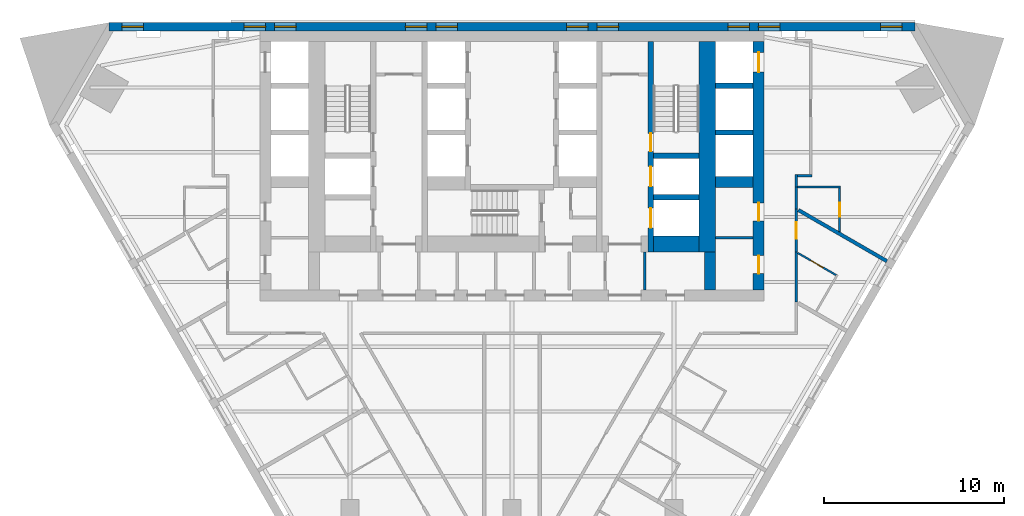
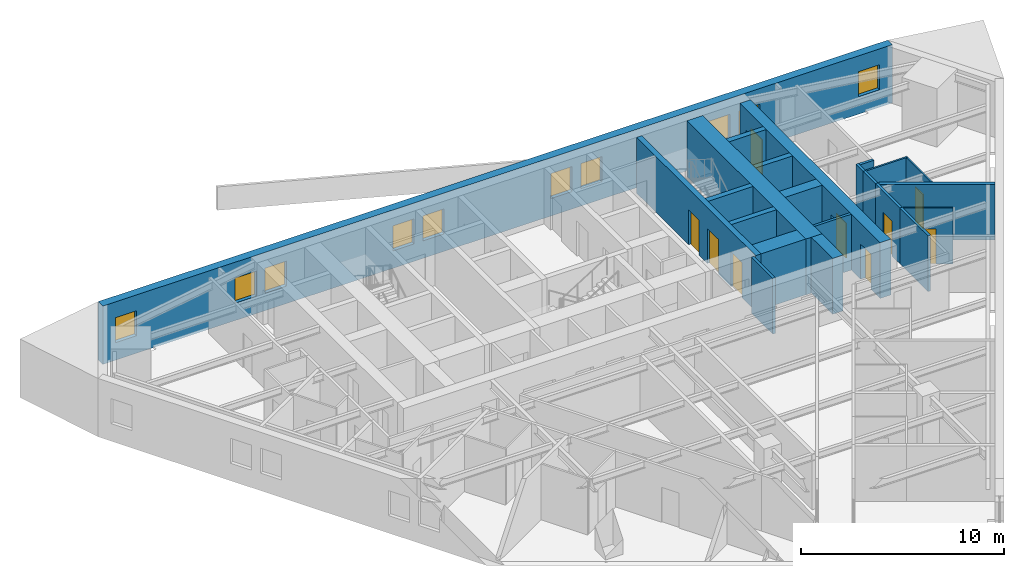
# One storey, part 7 of 11: 22 walls, 10 windows, 9 doors, 19 openings.
"""IFC4 building model written with IfcOpenShell, lengths in metres."""

from ifc_helpers import new_model, si_unit, direction, frame, frame_2d, origin, place, context, subcontext, project, spatial, polyline, rectangle, outline, extrude, material, layer, layer_set, type_object, element, fill, save


model = new_model("IFC4")

# Units and contexts
model_context = context("Model", 3, precision=1e-05, world=origin(), true_north=direction((0.0, 1.0)))
body_context = subcontext(model_context, "Body", "Model", "MODEL_VIEW")
ifc_project = project(units=[si_unit("LENGTHUNIT", "METRE"), si_unit("AREAUNIT", "SQUARE_METRE"), si_unit("VOLUMEUNIT", "CUBIC_METRE"), si_unit("PLANEANGLEUNIT", "RADIAN"), si_unit("MASSUNIT", "GRAM", prefix="KILO")], contexts=[model_context])

# Site, building, storey
site_placement = place(None, origin())
site = spatial("IfcSite", under=ifc_project, at=site_placement, CompositionType="ELEMENT")
building_placement = place(site_placement, origin())
building = spatial("IfcBuilding", under=site, at=building_placement, Name="Aloe Facet Convention Tower", CompositionType="ELEMENT")
storey_placement = place(building_placement, frame((0.0, 0.0, 38.5)))
storey = spatial("IfcBuildingStorey", under=building, at=storey_placement, Name="L07", CompositionType="ELEMENT", Elevation=38.5)

# Walls
ifc_material_1 = material(Name="Concrete blockwork partition", Category="masonry")
ifc_layer_1 = layer(ifc_material_1, 0.14990234375)
ifc_layer_set_1 = layer_set([ifc_layer_1], Name="CR-W-PART150")
wall_type_1 = type_object("IfcWallType", Name="CR-W-PART150", PredefinedType="PARTITIONING", material=ifc_layer_set_1)
wall_1_placement = place(storey_placement, frame((87.375, 122.25, 0.0), z_axis=(0.0, 0.0, 1.0), x_axis=(0.0, -1.0, 0.0)))
element("IfcWall", 1, at=wall_1_placement, inside=storey, type_object=wall_type_1, Name="Core partition L07-041", PredefinedType="PARTITIONING", context=body_context, shape_type="SweptSolid", body=[
    extrude(rectangle(XDim=2.10009765625, YDim=0.14990234375, at=frame_2d((1.050048828125, 0.0))), origin(), (0.0, 0.0, 1.0), 3.35009765625),
])
wall_2_placement = place(storey_placement, frame((91.300048828125, 123.048583984375, 0.0), z_axis=(0.0, 0.0, 1.0), x_axis=(1.0, 0.0, 0.0)))
element("IfcWall", 2, at=wall_2_placement, inside=storey, type_object=wall_type_1, Name="Core partition L07-051", PredefinedType="PARTITIONING", context=body_context, shape_type="SweptSolid", body=[
    extrude(rectangle(XDim=2.099853515625, YDim=0.14990234375, at=frame_2d((1.0498046875, 0.0))), origin(), (0.0, 0.0, 1.0), 3.35009765625),
])

# Wall, openings, doors
ifc_material_2 = material(Name="Concrete C80/95", Category="concrete")
ifc_layer_2 = layer(ifc_material_2, 0.300048828125)
ifc_layer_set_2 = layer_set([ifc_layer_2], Name="CR-W-RC300-C8095")
wall_type_2 = type_object("IfcWallType", Name="CR-W-RC300-C8095", PredefinedType="SOLIDWALL", material=ifc_layer_set_2)
wall_3_placement = place(storey_placement, frame((87.699951171875, 133.949951171875, 0.0), z_axis=(0.0, 0.0, 1.0), x_axis=(0.0, -1.0, 0.0)))
wall_3 = element("IfcWall", 3, at=wall_3_placement, inside=storey, type_object=wall_type_2, Name="Core wall L07-042", PredefinedType="SOLIDWALL", context=body_context, shape_type="SweptSolid", body=[
    extrude(rectangle(XDim=11.699951171875, YDim=0.300048828125, at=frame_2d((5.85009765625, 0.0))), origin(), (0.0, 0.0, 1.0), 3.35009765625),
])
opening_1_placement = place(wall_3_placement, frame((6.949951171875, 0.0, 0.0)))
opening_1 = element("IfcOpeningElement", 4, at=opening_1_placement, cuts=wall_3, Name="Opening LD-FF2-L07", PredefinedType="OPENING", context=body_context, shape_type="SweptSolid", body=[
    extrude(rectangle(XDim=1.10009765625, YDim=2.10009765625, at=frame_2d((0.550048828125, 1.050048828125))), frame((0.0, 0.16015625, 0.0), z_axis=(0.0, -1.0, 0.0), x_axis=(1.0, 0.0, 0.0)), (0.0, 0.0, 1.0), 0.320068359375),
])
opening_2_placement = place(wall_3_placement, frame((5.10009765625, 0.0, 0.0)))
opening_2 = element("IfcOpeningElement", 5, at=opening_2_placement, cuts=wall_3, Name="Opening L07-CD30", PredefinedType="OPENING", context=body_context, shape_type="SweptSolid", body=[
    extrude(rectangle(XDim=1.0, YDim=2.10009765625, at=frame_2d((0.5, 1.050048828125))), frame((0.0, 0.16015625, 0.0), z_axis=(0.0, -1.0, 0.0), x_axis=(1.0, 0.0, 0.0)), (0.0, 0.0, 1.0), 0.320068359375),
])
opening_3_placement = place(wall_3_placement, frame((9.25, 0.0, 0.0)))
opening_3 = element("IfcOpeningElement", 6, at=opening_3_placement, cuts=wall_3, Name="Opening LD-SV1-L07", PredefinedType="OPENING", context=body_context, shape_type="SweptSolid", body=[
    extrude(rectangle(XDim=1.10009765625, YDim=2.10009765625, at=frame_2d((0.550048828125, 1.050048828125))), frame((0.0, 0.16015625, 0.0), z_axis=(0.0, -1.0, 0.0), x_axis=(1.0, 0.0, 0.0)), (0.0, 0.0, 1.0), 0.320068359375),
])
ifc_material_3 = material(Name="Steel fire-resisting door set FD120", Category="steel")
door_type_1 = type_object("IfcDoorType", Name="CR-D-STAIR-1000-FD120-SLEFT", OperationType="SINGLE_SWING_LEFT", PredefinedType="DOOR", material=ifc_material_3)
door_1_placement = place(opening_2_placement, origin())
door_1 = element("IfcDoor", 7, at=door_1_placement, inside=storey, type_object=door_type_1, Name="Core door L07-CD30", OperationType="SINGLE_SWING_LEFT", OverallHeight=2.10009765625, OverallWidth=1.0, PredefinedType="DOOR", context=body_context, shape_type="SweptSolid", body=[
    extrude(rectangle(XDim=1.0, YDim=2.10009765625, at=frame_2d((0.5, 1.050048828125))), frame((0.0, 0.02490234375, 0.0), z_axis=(0.0, -1.0, 0.0), x_axis=(1.0, 0.0, 0.0)), (0.0, 0.0, 1.0), 0.050048828125),
])
fill(opening_2, door_1)
ifc_material_4 = material(Name="Stainless steel sliding landing door", Category="steel")
door_type_2 = type_object("IfcDoorType", Name="CR-LD-1100-FD120-_LEFT", OperationType="SLIDING_TO_LEFT", PredefinedType="DOOR", material=ifc_material_4)
door_2_placement = place(opening_1_placement, origin())
door_2 = element("IfcDoor", 8, at=door_2_placement, inside=storey, type_object=door_type_2, Name="Landing door FF2 L07", OperationType="SLIDING_TO_LEFT", OverallHeight=2.10009765625, OverallWidth=1.10009765625, PredefinedType="DOOR", context=body_context, shape_type="SweptSolid", body=[
    extrude(rectangle(XDim=1.10009765625, YDim=2.10009765625, at=frame_2d((0.550048828125, 1.050048828125))), frame((0.0, 0.02490234375, 0.0), z_axis=(0.0, -1.0, 0.0), x_axis=(1.0, 0.0, 0.0)), (0.0, 0.0, 1.0), 0.050048828125),
])
fill(opening_1, door_2)
door_3_placement = place(opening_3_placement, origin())
door_3 = element("IfcDoor", 9, at=door_3_placement, inside=storey, type_object=door_type_2, Name="Landing door SV1 L07", OperationType="SLIDING_TO_LEFT", OverallHeight=2.10009765625, OverallWidth=1.10009765625, PredefinedType="DOOR", context=body_context, shape_type="SweptSolid", body=[
    extrude(rectangle(XDim=1.10009765625, YDim=2.10009765625, at=frame_2d((0.550048828125, 1.050048828125))), frame((0.0, 0.02490234375, 0.0), z_axis=(0.0, -1.0, 0.0), x_axis=(1.0, 0.0, 0.0)), (0.0, 0.0, 1.0), 0.050048828125),
])
fill(opening_3, door_3)

# Walls
for number, where, z_axis, x_axis, name in (
    (10, (87.85009765625, 127.60009765625, 0.0), (0.0, 0.0, 1.0), (1.0, 0.0, 0.0), "Core wall L07-043"),
    (11, (87.85009765625, 125.300048828125, 0.0), (0.0, 0.0, 1.0), (1.0, 0.0, 0.0), "Core wall L07-044"),
):
    element("IfcWall", number, at=place(storey_placement, frame(where, z_axis=z_axis, x_axis=x_axis)), inside=storey, type_object=wall_type_2, Name=name, PredefinedType="SOLIDWALL", context=body_context, shape_type="SweptSolid", body=[
        extrude(rectangle(XDim=2.5498046875, YDim=0.300048828125, at=frame_2d((1.27490234375, 0.0))), origin(), (0.0, 0.0, 1.0), 3.35009765625),
    ])
for number, where, z_axis, x_axis, name in (
    (12, (91.300048828125, 131.5, 0.0), (0.0, 0.0, 1.0), (1.0, 0.0, 0.0), "Core wall L07-048"),
    (13, (91.300048828125, 128.89990234375, 0.0), (0.0, 0.0, 1.0), (1.0, 0.0, 0.0), "Core wall L07-049"),
):
    element("IfcWall", number, at=place(storey_placement, frame(where, z_axis=z_axis, x_axis=x_axis)), inside=storey, type_object=wall_type_2, Name=name, PredefinedType="SOLIDWALL", context=body_context, shape_type="SweptSolid", body=[
        extrude(rectangle(XDim=2.099853515625, YDim=0.300048828125, at=frame_2d((1.0498046875, 0.0))), origin(), (0.0, 0.0, 1.0), 3.35009765625),
    ])
ifc_material_5 = material(Name="Concrete C80/95", Category="concrete")
ifc_layer_3 = layer(ifc_material_5, 0.60009765625)
ifc_layer_set_3 = layer_set([ifc_layer_3], Name="CR-W-RC600-C8095")
wall_type_3 = type_object("IfcWallType", Name="CR-W-RC600-C8095", PredefinedType="SOLIDWALL", material=ifc_layer_set_3)
wall_4_placement = place(storey_placement, frame((91.0, 122.25, 0.0), z_axis=(0.0, 0.0, 1.0), x_axis=(0.0, -1.0, 0.0)))
element("IfcWall", 14, at=wall_4_placement, inside=storey, type_object=wall_type_3, Name="Core wall L07-047", PredefinedType="SOLIDWALL", context=body_context, shape_type="SweptSolid", body=[
    extrude(rectangle(XDim=2.10009765625, YDim=0.60009765625, at=frame_2d((1.050048828125, 0.0))), origin(), (0.0, 0.0, 1.0), 3.35009765625),
])
wall_5_placement = place(storey_placement, frame((91.300048828125, 126.14990234375, 0.0), z_axis=(0.0, 0.0, 1.0), x_axis=(1.0, 0.0, 0.0)))
element("IfcWall", 15, at=wall_5_placement, inside=storey, type_object=wall_type_3, Name="Core wall L07-050", PredefinedType="SOLIDWALL", context=body_context, shape_type="SweptSolid", body=[
    extrude(rectangle(XDim=2.099853515625, YDim=0.60009765625, at=frame_2d((1.0498046875, 0.0))), origin(), (0.0, 0.0, 1.0), 3.35009765625),
])

# Wall, openings, doors
wall_6_placement = place(storey_placement, frame((93.699951171875, 133.949951171875, 0.0), z_axis=(0.0, 0.0, 1.0), x_axis=(0.0, -1.0, 0.0)))
wall_6 = element("IfcWall", 16, at=wall_6_placement, inside=storey, type_object=wall_type_3, Name="Core wall L07-052", PredefinedType="SOLIDWALL", context=body_context, shape_type="SweptSolid", body=[
    extrude(rectangle(XDim=13.800048828125, YDim=0.60009765625, at=frame_2d((6.89990234375, 0.0))), origin(), (0.0, 0.0, 1.0), 3.35009765625),
])
opening_4_placement = place(wall_6_placement, frame((0.60009765625, 0.0, 0.0)))
opening_4 = element("IfcOpeningElement", 17, at=opening_4_placement, cuts=wall_6, Name="Opening LD-A8-L07", PredefinedType="OPENING", context=body_context, shape_type="SweptSolid", body=[
    extrude(rectangle(XDim=1.10009765625, YDim=2.10009765625, at=frame_2d((0.550048828125, 1.050048828125))), frame((0.0, 0.31005859375, 0.0), z_axis=(0.0, -1.0, 0.0), x_axis=(1.0, 0.0, 0.0)), (0.0, 0.0, 1.0), 0.6201171875),
])
opening_5_placement = place(wall_6_placement, frame((8.963134765625, 0.0, 0.0)))
opening_5 = element("IfcOpeningElement", 18, at=opening_5_placement, cuts=wall_6, Name="Opening L07-CD09", PredefinedType="OPENING", context=body_context, shape_type="SweptSolid", body=[
    extrude(rectangle(XDim=1.0, YDim=2.10009765625, at=frame_2d((0.5, 1.050048828125))), frame((0.0, 0.31005859375, 0.0), z_axis=(0.0, -1.0, 0.0), x_axis=(1.0, 0.0, 0.0)), (0.0, 0.0, 1.0), 0.6201171875),
])
opening_6_placement = place(wall_6_placement, frame((11.88818359375, 0.0, 0.0)))
opening_6 = element("IfcOpeningElement", 19, at=opening_6_placement, cuts=wall_6, Name="Opening L07-CD10", PredefinedType="OPENING", context=body_context, shape_type="SweptSolid", body=[
    extrude(rectangle(XDim=1.0, YDim=2.10009765625, at=frame_2d((0.5, 1.050048828125))), frame((0.0, 0.31005859375, 0.0), z_axis=(0.0, -1.0, 0.0), x_axis=(1.0, 0.0, 0.0)), (0.0, 0.0, 1.0), 0.6201171875),
])
ifc_material_6 = material(Name="Steel fire-resisting door set FD60", Category="steel")
door_type_3 = type_object("IfcDoorType", Name="CR-D-ROOM-1000-FD60-SLEFT", OperationType="SINGLE_SWING_LEFT", PredefinedType="DOOR", material=ifc_material_6)
door_4_placement = place(opening_5_placement, origin())
door_4 = element("IfcDoor", 20, at=door_4_placement, inside=storey, type_object=door_type_3, Name="Core door L07-CD09", OperationType="SINGLE_SWING_LEFT", OverallHeight=2.10009765625, OverallWidth=1.0, PredefinedType="DOOR", context=body_context, shape_type="SweptSolid", body=[
    extrude(rectangle(XDim=1.0, YDim=2.10009765625, at=frame_2d((0.5, 1.050048828125))), frame((0.0, 0.02490234375, 0.0), z_axis=(0.0, -1.0, 0.0), x_axis=(1.0, 0.0, 0.0)), (0.0, 0.0, 1.0), 0.050048828125),
])
fill(opening_5, door_4)
door_5_placement = place(opening_6_placement, origin())
door_5 = element("IfcDoor", 21, at=door_5_placement, inside=storey, type_object=door_type_3, Name="Core door L07-CD10", OperationType="SINGLE_SWING_LEFT", OverallHeight=2.10009765625, OverallWidth=1.0, PredefinedType="DOOR", context=body_context, shape_type="SweptSolid", body=[
    extrude(rectangle(XDim=1.0, YDim=2.10009765625, at=frame_2d((0.5, 1.050048828125))), frame((0.0, 0.02490234375, 0.0), z_axis=(0.0, -1.0, 0.0), x_axis=(1.0, 0.0, 0.0)), (0.0, 0.0, 1.0), 0.050048828125),
])
fill(opening_6, door_5)
ifc_material_7 = material(Name="Stainless steel sliding landing door", Category="steel")
door_type_4 = type_object("IfcDoorType", Name="CR-LD-1100-FD60-_LEFT", OperationType="SLIDING_TO_LEFT", PredefinedType="DOOR", material=ifc_material_7)
door_6_placement = place(opening_4_placement, origin())
door_6 = element("IfcDoor", 22, at=door_6_placement, inside=storey, type_object=door_type_4, Name="Landing door A8 L07", OperationType="SLIDING_TO_LEFT", OverallHeight=2.10009765625, OverallWidth=1.10009765625, PredefinedType="DOOR", context=body_context, shape_type="SweptSolid", body=[
    extrude(rectangle(XDim=1.10009765625, YDim=2.10009765625, at=frame_2d((0.550048828125, 1.050048828125))), frame((0.0, 0.02490234375, 0.0), z_axis=(0.0, -1.0, 0.0), x_axis=(1.0, 0.0, 0.0)), (0.0, 0.0, 1.0), 0.050048828125),
])
fill(opening_4, door_6)

# Walls
ifc_material_8 = material(Name="Concrete C80/95", Category="concrete")
ifc_layer_4 = layer(ifc_material_8, 0.89990234375)
ifc_layer_set_4 = layer_set([ifc_layer_4], Name="CR-W-RC900-C8095")
wall_type_4 = type_object("IfcWallType", Name="CR-W-RC900-C8095", PredefinedType="SOLIDWALL", material=ifc_layer_set_4)
wall_7_placement = place(storey_placement, frame((87.85009765625, 122.699951171875, 0.0), z_axis=(0.0, 0.0, 1.0), x_axis=(1.0, 0.0, 0.0)))
element("IfcWall", 23, at=wall_7_placement, inside=storey, type_object=wall_type_4, Name="Core wall L07-045", PredefinedType="SOLIDWALL", context=body_context, shape_type="SweptSolid", body=[
    extrude(rectangle(XDim=2.5498046875, YDim=0.89990234375, at=frame_2d((1.27490234375, 0.0))), origin(), (0.0, 0.0, 1.0), 3.35009765625),
])
wall_8_placement = place(storey_placement, frame((90.85009765625, 133.949951171875, 0.0), z_axis=(0.0, 0.0, 1.0), x_axis=(0.0, -1.0, 0.0)))
element("IfcWall", 24, at=wall_8_placement, inside=storey, type_object=wall_type_4, Name="Core wall L07-046", PredefinedType="SOLIDWALL", context=body_context, shape_type="SweptSolid", body=[
    extrude(rectangle(XDim=11.699951171875, YDim=0.89990234375, at=frame_2d((5.85009765625, 0.0))), origin(), (0.0, 0.0, 1.0), 3.35009765625),
])

# Wall, openings, windows
ifc_material_9 = material(Name="Precast concrete C40/50", Category="concrete")
ifc_layer_5 = layer(ifc_material_9, 0.449951171875)
ifc_layer_set_5 = layer_set([ifc_layer_5], Name="EV-WALL-STONE")
wall_type_5 = type_object("IfcWallType", Name="EV-WALL-STONE", PredefinedType="SOLIDWALL", material=ifc_layer_set_5)
wall_9_placement = place(storey_placement, frame((102.39990234375, 134.77490234375, -0.14990234375), z_axis=(0.0, 0.0, 1.0), x_axis=(-1.0, 0.0, 0.0)))
wall_9 = element("IfcWall", 25, at=wall_9_placement, inside=storey, type_object=wall_type_5, Name="EW-L07-N01", PredefinedType="SOLIDWALL", context=body_context, shape_type="SweptSolid", body=[
    extrude(outline(polyline([(44.800048828125, 0.0), (44.800048828125, 3.5), (0.0, 3.5), (0.0, 0.0), (44.800048828125, 0.0)])), frame((0.0, 0.22509765625, 0.0), z_axis=(0.0, -1.0, 0.0), x_axis=(1.0, 0.0, 0.0)), (0.0, 0.0, 1.0), 0.449951171875),
])
opening_7_placement = place(wall_9_placement, frame((0.72216796875, 0.0, 1.050048828125)))
opening_7 = element("IfcOpeningElement", 26, at=opening_7_placement, cuts=wall_9, Name="Opening W-L07-N01", PredefinedType="OPENING", context=body_context, shape_type="SweptSolid", body=[
    extrude(rectangle(XDim=1.199951171875, YDim=1.5, at=frame_2d((0.60009765625, 0.75))), frame((0.0, 0.23486328125, 0.0), z_axis=(0.0, -1.0, 0.0), x_axis=(1.0, 0.0, 0.0)), (0.0, 0.0, 1.0), 0.469970703125),
])
opening_8_placement = place(wall_9_placement, frame((7.510009765625, 0.0, 1.050048828125)))
opening_8 = element("IfcOpeningElement", 27, at=opening_8_placement, cuts=wall_9, Name="Opening W-L07-N02", PredefinedType="OPENING", context=body_context, shape_type="SweptSolid", body=[
    extrude(rectangle(XDim=1.199951171875, YDim=1.5, at=frame_2d((0.60009765625, 0.75))), frame((0.0, 0.23486328125, 0.0), z_axis=(0.0, -1.0, 0.0), x_axis=(1.0, 0.0, 0.0)), (0.0, 0.0, 1.0), 0.469970703125),
])
opening_9_placement = place(wall_9_placement, frame((9.2099609375, 0.0, 1.050048828125)))
opening_9 = element("IfcOpeningElement", 28, at=opening_9_placement, cuts=wall_9, Name="Opening W-L07-N03", PredefinedType="OPENING", context=body_context, shape_type="SweptSolid", body=[
    extrude(rectangle(XDim=1.199951171875, YDim=1.5, at=frame_2d((0.60009765625, 0.75))), frame((0.0, 0.23486328125, 0.0), z_axis=(0.0, -1.0, 0.0), x_axis=(1.0, 0.0, 0.0)), (0.0, 0.0, 1.0), 0.469970703125),
])
opening_10_placement = place(wall_9_placement, frame((16.469970703125, 0.0, 1.050048828125)))
opening_10 = element("IfcOpeningElement", 29, at=opening_10_placement, cuts=wall_9, Name="Opening W-L07-N04", PredefinedType="OPENING", context=body_context, shape_type="SweptSolid", body=[
    extrude(rectangle(XDim=1.199951171875, YDim=1.5, at=frame_2d((0.60009765625, 0.75))), frame((0.0, 0.23486328125, 0.0), z_axis=(0.0, -1.0, 0.0), x_axis=(1.0, 0.0, 0.0)), (0.0, 0.0, 1.0), 0.469970703125),
])
opening_11_placement = place(wall_9_placement, frame((18.169921875, 0.0, 1.050048828125)))
opening_11 = element("IfcOpeningElement", 30, at=opening_11_placement, cuts=wall_9, Name="Opening W-L07-N05", PredefinedType="OPENING", context=body_context, shape_type="SweptSolid", body=[
    extrude(rectangle(XDim=1.199951171875, YDim=1.5, at=frame_2d((0.60009765625, 0.75))), frame((0.0, 0.23486328125, 0.0), z_axis=(0.0, -1.0, 0.0), x_axis=(1.0, 0.0, 0.0)), (0.0, 0.0, 1.0), 0.469970703125),
])
opening_12_placement = place(wall_9_placement, frame((25.429931640625, 0.0, 1.050048828125)))
opening_12 = element("IfcOpeningElement", 31, at=opening_12_placement, cuts=wall_9, Name="Opening W-L07-N06", PredefinedType="OPENING", context=body_context, shape_type="SweptSolid", body=[
    extrude(rectangle(XDim=1.199951171875, YDim=1.5, at=frame_2d((0.60009765625, 0.75))), frame((0.0, 0.23486328125, 0.0), z_axis=(0.0, -1.0, 0.0), x_axis=(1.0, 0.0, 0.0)), (0.0, 0.0, 1.0), 0.469970703125),
])
opening_13_placement = place(wall_9_placement, frame((27.1298828125, 0.0, 1.050048828125)))
opening_13 = element("IfcOpeningElement", 32, at=opening_13_placement, cuts=wall_9, Name="Opening W-L07-N07", PredefinedType="OPENING", context=body_context, shape_type="SweptSolid", body=[
    extrude(rectangle(XDim=1.199951171875, YDim=1.5, at=frame_2d((0.60009765625, 0.75))), frame((0.0, 0.23486328125, 0.0), z_axis=(0.0, -1.0, 0.0), x_axis=(1.0, 0.0, 0.0)), (0.0, 0.0, 1.0), 0.469970703125),
])
opening_14_placement = place(wall_9_placement, frame((34.389892578125, 0.0, 1.050048828125)))
opening_14 = element("IfcOpeningElement", 33, at=opening_14_placement, cuts=wall_9, Name="Opening W-L07-N08", PredefinedType="OPENING", context=body_context, shape_type="SweptSolid", body=[
    extrude(rectangle(XDim=1.199951171875, YDim=1.5, at=frame_2d((0.60009765625, 0.75))), frame((0.0, 0.23486328125, 0.0), z_axis=(0.0, -1.0, 0.0), x_axis=(1.0, 0.0, 0.0)), (0.0, 0.0, 1.0), 0.469970703125),
])
opening_15_placement = place(wall_9_placement, frame((36.090087890625, 0.0, 1.050048828125)))
opening_15 = element("IfcOpeningElement", 34, at=opening_15_placement, cuts=wall_9, Name="Opening W-L07-N09", PredefinedType="OPENING", context=body_context, shape_type="SweptSolid", body=[
    extrude(rectangle(XDim=1.199951171875, YDim=1.5, at=frame_2d((0.60009765625, 0.75))), frame((0.0, 0.23486328125, 0.0), z_axis=(0.0, -1.0, 0.0), x_axis=(1.0, 0.0, 0.0)), (0.0, 0.0, 1.0), 0.469970703125),
])
opening_16_placement = place(wall_9_placement, frame((42.8779296875, 0.0, 1.050048828125)))
opening_16 = element("IfcOpeningElement", 35, at=opening_16_placement, cuts=wall_9, Name="Opening W-L07-N10", PredefinedType="OPENING", context=body_context, shape_type="SweptSolid", body=[
    extrude(rectangle(XDim=1.199951171875, YDim=1.5, at=frame_2d((0.60009765625, 0.75))), frame((0.0, 0.23486328125, 0.0), z_axis=(0.0, -1.0, 0.0), x_axis=(1.0, 0.0, 0.0)), (0.0, 0.0, 1.0), 0.469970703125),
])
ifc_material_10 = material(Name="Aluminium frame, clear double glazing", Category="aluminium")
window_type = type_object("IfcWindowType", Name="EV-WIN-H12", PartitioningType="SINGLE_PANEL", PredefinedType="WINDOW", material=ifc_material_10)
window_1_placement = place(opening_7_placement, origin())
window_1 = element("IfcWindow", 36, at=window_1_placement, inside=storey, type_object=window_type, Name="W-L07-N01", OverallHeight=1.5, OverallWidth=1.199951171875, PartitioningType="SINGLE_PANEL", PredefinedType="WINDOW", context=body_context, shape_type="SweptSolid", body=[
    extrude(rectangle(XDim=1.199951171875, YDim=1.5, at=frame_2d((0.60009765625, 0.75))), frame((0.0, 0.030029296875, 0.0), z_axis=(0.0, -1.0, 0.0), x_axis=(1.0, 0.0, 0.0)), (0.0, 0.0, 1.0), 0.06005859375),
])
fill(opening_7, window_1)
window_2_placement = place(opening_8_placement, origin())
window_2 = element("IfcWindow", 37, at=window_2_placement, inside=storey, type_object=window_type, Name="W-L07-N02", OverallHeight=1.5, OverallWidth=1.199951171875, PartitioningType="SINGLE_PANEL", PredefinedType="WINDOW", context=body_context, shape_type="SweptSolid", body=[
    extrude(rectangle(XDim=1.199951171875, YDim=1.5, at=frame_2d((0.60009765625, 0.75))), frame((0.0, 0.030029296875, 0.0), z_axis=(0.0, -1.0, 0.0), x_axis=(1.0, 0.0, 0.0)), (0.0, 0.0, 1.0), 0.06005859375),
])
fill(opening_8, window_2)
window_3_placement = place(opening_9_placement, origin())
window_3 = element("IfcWindow", 38, at=window_3_placement, inside=storey, type_object=window_type, Name="W-L07-N03", OverallHeight=1.5, OverallWidth=1.199951171875, PartitioningType="SINGLE_PANEL", PredefinedType="WINDOW", context=body_context, shape_type="SweptSolid", body=[
    extrude(rectangle(XDim=1.199951171875, YDim=1.5, at=frame_2d((0.60009765625, 0.75))), frame((0.0, 0.030029296875, 0.0), z_axis=(0.0, -1.0, 0.0), x_axis=(1.0, 0.0, 0.0)), (0.0, 0.0, 1.0), 0.06005859375),
])
fill(opening_9, window_3)
window_4_placement = place(opening_10_placement, origin())
window_4 = element("IfcWindow", 39, at=window_4_placement, inside=storey, type_object=window_type, Name="W-L07-N04", OverallHeight=1.5, OverallWidth=1.199951171875, PartitioningType="SINGLE_PANEL", PredefinedType="WINDOW", context=body_context, shape_type="SweptSolid", body=[
    extrude(rectangle(XDim=1.199951171875, YDim=1.5, at=frame_2d((0.60009765625, 0.75))), frame((0.0, 0.030029296875, 0.0), z_axis=(0.0, -1.0, 0.0), x_axis=(1.0, 0.0, 0.0)), (0.0, 0.0, 1.0), 0.06005859375),
])
fill(opening_10, window_4)
window_5_placement = place(opening_11_placement, origin())
window_5 = element("IfcWindow", 40, at=window_5_placement, inside=storey, type_object=window_type, Name="W-L07-N05", OverallHeight=1.5, OverallWidth=1.199951171875, PartitioningType="SINGLE_PANEL", PredefinedType="WINDOW", context=body_context, shape_type="SweptSolid", body=[
    extrude(rectangle(XDim=1.199951171875, YDim=1.5, at=frame_2d((0.60009765625, 0.75))), frame((0.0, 0.030029296875, 0.0), z_axis=(0.0, -1.0, 0.0), x_axis=(1.0, 0.0, 0.0)), (0.0, 0.0, 1.0), 0.06005859375),
])
fill(opening_11, window_5)
window_6_placement = place(opening_12_placement, origin())
window_6 = element("IfcWindow", 41, at=window_6_placement, inside=storey, type_object=window_type, Name="W-L07-N06", OverallHeight=1.5, OverallWidth=1.199951171875, PartitioningType="SINGLE_PANEL", PredefinedType="WINDOW", context=body_context, shape_type="SweptSolid", body=[
    extrude(rectangle(XDim=1.199951171875, YDim=1.5, at=frame_2d((0.60009765625, 0.75))), frame((0.0, 0.030029296875, 0.0), z_axis=(0.0, -1.0, 0.0), x_axis=(1.0, 0.0, 0.0)), (0.0, 0.0, 1.0), 0.06005859375),
])
fill(opening_12, window_6)
window_7_placement = place(opening_13_placement, origin())
window_7 = element("IfcWindow", 42, at=window_7_placement, inside=storey, type_object=window_type, Name="W-L07-N07", OverallHeight=1.5, OverallWidth=1.199951171875, PartitioningType="SINGLE_PANEL", PredefinedType="WINDOW", context=body_context, shape_type="SweptSolid", body=[
    extrude(rectangle(XDim=1.199951171875, YDim=1.5, at=frame_2d((0.60009765625, 0.75))), frame((0.0, 0.030029296875, 0.0), z_axis=(0.0, -1.0, 0.0), x_axis=(1.0, 0.0, 0.0)), (0.0, 0.0, 1.0), 0.06005859375),
])
fill(opening_13, window_7)
window_8_placement = place(opening_14_placement, origin())
window_8 = element("IfcWindow", 43, at=window_8_placement, inside=storey, type_object=window_type, Name="W-L07-N08", OverallHeight=1.5, OverallWidth=1.199951171875, PartitioningType="SINGLE_PANEL", PredefinedType="WINDOW", context=body_context, shape_type="SweptSolid", body=[
    extrude(rectangle(XDim=1.199951171875, YDim=1.5, at=frame_2d((0.60009765625, 0.75))), frame((0.0, 0.030029296875, 0.0), z_axis=(0.0, -1.0, 0.0), x_axis=(1.0, 0.0, 0.0)), (0.0, 0.0, 1.0), 0.06005859375),
])
fill(opening_14, window_8)
window_9_placement = place(opening_15_placement, origin())
window_9 = element("IfcWindow", 44, at=window_9_placement, inside=storey, type_object=window_type, Name="W-L07-N09", OverallHeight=1.5, OverallWidth=1.199951171875, PartitioningType="SINGLE_PANEL", PredefinedType="WINDOW", context=body_context, shape_type="SweptSolid", body=[
    extrude(rectangle(XDim=1.199951171875, YDim=1.5, at=frame_2d((0.60009765625, 0.75))), frame((0.0, 0.030029296875, 0.0), z_axis=(0.0, -1.0, 0.0), x_axis=(1.0, 0.0, 0.0)), (0.0, 0.0, 1.0), 0.06005859375),
])
fill(opening_15, window_9)
window_10_placement = place(opening_16_placement, origin())
window_10 = element("IfcWindow", 45, at=window_10_placement, inside=storey, type_object=window_type, Name="W-L07-N10", OverallHeight=1.5, OverallWidth=1.199951171875, PartitioningType="SINGLE_PANEL", PredefinedType="WINDOW", context=body_context, shape_type="SweptSolid", body=[
    extrude(rectangle(XDim=1.199951171875, YDim=1.5, at=frame_2d((0.60009765625, 0.75))), frame((0.0, 0.030029296875, 0.0), z_axis=(0.0, -1.0, 0.0), x_axis=(1.0, 0.0, 0.0)), (0.0, 0.0, 1.0), 0.06005859375),
])
fill(opening_16, window_10)

# Wall
ifc_material_11 = material(Name="Gypsum board partition on steel studs", Category="steel")
ifc_layer_6 = layer(ifc_material_11, 0.14990234375)
ifc_layer_set_6 = layer_set([ifc_layer_6], Name="IN-W-CORR")
wall_type_6 = type_object("IfcWallType", Name="IN-W-CORR", PredefinedType="PARTITIONING", material=ifc_layer_set_6)
wall_10_placement = place(storey_placement, frame((95.800048828125, 119.480712890625, 0.0), z_axis=(0.0, 0.0, 1.0), x_axis=(0.0, 1.0, 0.0)))
element("IfcWall", 46, at=wall_10_placement, inside=storey, type_object=wall_type_6, Name="Partition L07-W081", PredefinedType="PARTITIONING", context=body_context, shape_type="SweptSolid", body=[
    extrude(rectangle(XDim=2.771484375, YDim=0.14990234375, at=frame_2d((1.3857421875, 0.0))), origin(), (0.0, 0.0, 1.0), 3.35009765625),
])

# Wall, opening, door
wall_11_placement = place(storey_placement, frame((95.800048828125, 122.252197265625, 0.0), z_axis=(0.0, 0.0, 1.0), x_axis=(0.0, 1.0, 0.0)))
wall_11 = element("IfcWall", 47, at=wall_11_placement, inside=storey, type_object=wall_type_6, Name="Partition L07-W094", PredefinedType="PARTITIONING", context=body_context, shape_type="SweptSolid", body=[
    extrude(rectangle(XDim=2.401611328125, YDim=0.14990234375, at=frame_2d((1.20068359375, 0.0))), origin(), (0.0, 0.0, 1.0), 3.35009765625),
])
opening_17_placement = place(wall_11_placement, frame((0.7509765625, 0.0, 0.0)))
opening_17 = element("IfcOpeningElement", 48, at=opening_17_placement, cuts=wall_11, Name="Opening L07-012", PredefinedType="OPENING", context=body_context, shape_type="SweptSolid", body=[
    extrude(rectangle(XDim=0.89990234375, YDim=2.10009765625, at=frame_2d((0.449951171875, 1.050048828125))), frame((0.0, 0.0849609375, 0.0), z_axis=(0.0, -1.0, 0.0), x_axis=(1.0, 0.0, 0.0)), (0.0, 0.0, 1.0), 0.169921875),
])
ifc_material_12 = material(Name="Hardwood flush door FD30S", Category="wood")
door_type_5 = type_object("IfcDoorType", Name="IN-D-GUEST", OperationType="SINGLE_SWING_LEFT", PredefinedType="DOOR", material=ifc_material_12)
door_7_placement = place(opening_17_placement, origin())
door_7 = element("IfcDoor", 49, at=door_7_placement, inside=storey, type_object=door_type_5, Name="Door L07-012", OperationType="SINGLE_SWING_LEFT", OverallHeight=2.10009765625, OverallWidth=0.89990234375, PredefinedType="DOOR", context=body_context, shape_type="SweptSolid", body=[
    extrude(rectangle(XDim=0.89990234375, YDim=2.10009765625, at=frame_2d((0.449951171875, 1.050048828125))), frame((0.0, 0.02490234375, 0.0), z_axis=(0.0, -1.0, 0.0), x_axis=(1.0, 0.0, 0.0)), (0.0, 0.0, 1.0), 0.050048828125),
])
fill(opening_17, door_7)

# Walls
wall_12_placement = place(storey_placement, frame((95.800048828125, 124.65380859375, 0.0), z_axis=(0.0, 0.0, 1.0), x_axis=(0.0, 1.0, 0.0)))
element("IfcWall", 50, at=wall_12_placement, inside=storey, type_object=wall_type_6, Name="Partition L07-W095", PredefinedType="PARTITIONING", context=body_context, shape_type="SweptSolid", body=[
    extrude(rectangle(XDim=1.21435546875, YDim=0.14990234375, at=frame_2d((0.607177734375, 0.0))), origin(), (0.0, 0.0, 1.0), 3.35009765625),
])
wall_13_placement = place(storey_placement, frame((95.800048828125, 125.8681640625, 0.0), z_axis=(0.0, 0.0, 1.0), x_axis=(0.0, 1.0, 0.0)))
element("IfcWall", 51, at=wall_13_placement, inside=storey, type_object=wall_type_6, Name="Partition L07-W103", PredefinedType="PARTITIONING", context=body_context, shape_type="SweptSolid", body=[
    extrude(rectangle(XDim=0.706787109375, YDim=0.14990234375, at=frame_2d((0.353515625, 0.0))), origin(), (0.0, 0.0, 1.0), 3.35009765625),
])
wall_14_placement = place(storey_placement, frame((95.875, 126.5, 0.0), z_axis=(0.0, 0.0, 1.0), x_axis=(1.0, 0.0, 0.0)))
element("IfcWall", 52, at=wall_14_placement, inside=storey, type_object=wall_type_6, Name="Partition L07-W104", PredefinedType="PARTITIONING", context=body_context, shape_type="SweptSolid", body=[
    extrude(rectangle(XDim=0.800048828125, YDim=0.14990234375, at=frame_2d((0.39990234375, 0.0))), origin(), (0.0, 0.0, 1.0), 3.35009765625),
])

# Wall, opening, door
ifc_material_13 = material(Name="Gypsum board partition on steel studs", Category="steel")
ifc_layer_7 = layer(ifc_material_13, 0.10009765625)
ifc_layer_set_7 = layer_set([ifc_layer_7], Name="IN-W-PART")
wall_type_7 = type_object("IfcWallType", Name="IN-W-PART", PredefinedType="PARTITIONING", material=ifc_layer_set_7)
wall_15_placement = place(storey_placement, frame((95.88232421875, 122.20458984375, 0.0), z_axis=(0.0, 0.0, 1.0), x_axis=(0.866006720078, -0.500032359733, 0.0)))
wall_15 = element("IfcWall", 53, at=wall_15_placement, inside=storey, type_object=wall_type_7, Name="Partition L07-W086", PredefinedType="PARTITIONING", context=body_context, shape_type="SweptSolid", body=[
    extrude(rectangle(XDim=2.454833984375, YDim=0.10009765625, at=frame_2d((1.2275390625, 0.0))), origin(), (0.0, 0.0, 1.0), 3.35009765625),
])
opening_18_placement = place(wall_15_placement, frame((0.827392578125, 0.0, 0.0)))
opening_18 = element("IfcOpeningElement", 54, at=opening_18_placement, cuts=wall_15, Name="Opening L07-027", PredefinedType="OPENING", context=body_context, shape_type="SweptSolid", body=[
    extrude(rectangle(XDim=0.800048828125, YDim=2.10009765625, at=frame_2d((0.39990234375, 1.050048828125))), frame((0.0, 0.06005859375, 0.0), z_axis=(0.0, -1.0, 0.0), x_axis=(1.0, 0.0, 0.0)), (0.0, 0.0, 1.0), 0.1201171875),
])
ifc_material_14 = material(Name="Timber flush door", Category="wood")
door_type_6 = type_object("IfcDoorType", Name="IN-D-BATH", OperationType="SINGLE_SWING_LEFT", PredefinedType="DOOR", material=ifc_material_14)
door_8_placement = place(opening_18_placement, origin())
door_8 = element("IfcDoor", 55, at=door_8_placement, inside=storey, type_object=door_type_6, Name="Door L07-027", OperationType="SINGLE_SWING_LEFT", OverallHeight=2.10009765625, OverallWidth=0.800048828125, PredefinedType="DOOR", context=body_context, shape_type="SweptSolid", body=[
    extrude(rectangle(XDim=0.800048828125, YDim=2.10009765625, at=frame_2d((0.39990234375, 1.050048828125))), frame((0.0, 0.02490234375, 0.0), z_axis=(0.0, -1.0, 0.0), x_axis=(1.0, 0.0, 0.0)), (0.0, 0.0, 1.0), 0.050048828125),
])
fill(opening_18, door_8)

# Wall
wall_16_placement = place(storey_placement, frame((95.875, 125.8681640625, 0.0), z_axis=(0.0, 0.0, 1.0), x_axis=(1.0, 0.0, 0.0)))
element("IfcWall", 56, at=wall_16_placement, inside=storey, type_object=wall_type_7, Name="Partition L07-W099", PredefinedType="PARTITIONING", context=body_context, shape_type="SweptSolid", body=[
    extrude(rectangle(XDim=2.375, YDim=0.10009765625, at=frame_2d((1.1875, 0.0))), origin(), (0.0, 0.0, 1.0), 3.35009765625),
])

# Wall, opening, door
wall_17_placement = place(storey_placement, frame((98.199951171875, 123.398193359375, 0.0), z_axis=(0.0, 0.0, 1.0), x_axis=(0.0, 1.0, 0.0)))
wall_17 = element("IfcWall", 57, at=wall_17_placement, inside=storey, type_object=wall_type_7, Name="Partition L07-W100", PredefinedType="PARTITIONING", context=body_context, shape_type="SweptSolid", body=[
    extrude(rectangle(XDim=2.420166015625, YDim=0.10009765625, at=frame_2d((1.2099609375, 0.0))), origin(), (0.0, 0.0, 1.0), 3.35009765625),
])
opening_19_placement = place(wall_17_placement, frame((0.81005859375, 0.0, 0.0)))
opening_19 = element("IfcOpeningElement", 58, at=opening_19_placement, cuts=wall_17, Name="Opening L07-016", PredefinedType="OPENING", context=body_context, shape_type="SweptSolid", body=[
    extrude(rectangle(XDim=0.800048828125, YDim=2.10009765625, at=frame_2d((0.39990234375, 1.050048828125))), frame((0.0, 0.06005859375, 0.0), z_axis=(0.0, -1.0, 0.0), x_axis=(1.0, 0.0, 0.0)), (0.0, 0.0, 1.0), 0.1201171875),
])
door_9_placement = place(opening_19_placement, origin())
door_9 = element("IfcDoor", 59, at=door_9_placement, inside=storey, type_object=door_type_6, Name="Door L07-016", OperationType="SINGLE_SWING_LEFT", OverallHeight=2.10009765625, OverallWidth=0.800048828125, PredefinedType="DOOR", context=body_context, shape_type="SweptSolid", body=[
    extrude(rectangle(XDim=0.800048828125, YDim=2.10009765625, at=frame_2d((0.39990234375, 1.050048828125))), frame((0.0, 0.02490234375, 0.0), z_axis=(0.0, -1.0, 0.0), x_axis=(1.0, 0.0, 0.0)), (0.0, 0.0, 1.0), 0.050048828125),
])
fill(opening_19, door_9)

# Wall
ifc_material_15 = material(Name="Gypsum board partition on steel studs", Category="steel")
ifc_layer_8 = layer(ifc_material_15, 0.199951171875)
ifc_layer_set_8 = layer_set([ifc_layer_8], Name="IN-W-PARTY")
wall_type_8 = type_object("IfcWallType", Name="IN-W-PARTY", PredefinedType="PARTITIONING", material=ifc_layer_set_8)
wall_18_placement = place(storey_placement, frame((95.908203125, 124.59130859375, 0.0), z_axis=(0.0, 0.0, 1.0), x_axis=(0.866043237112, -0.499969110498, 0.0)))
element("IfcWall", 60, at=wall_18_placement, inside=storey, type_object=wall_type_8, Name="Partition L07-W093", PredefinedType="PARTITIONING", context=body_context, shape_type="SweptSolid", body=[
    extrude(rectangle(XDim=5.683349609375, YDim=0.199951171875, at=frame_2d((2.841796875, 0.0))), origin(), (0.0, 0.0, 1.0), 3.35009765625),
])

save(model, "model.ifc")
